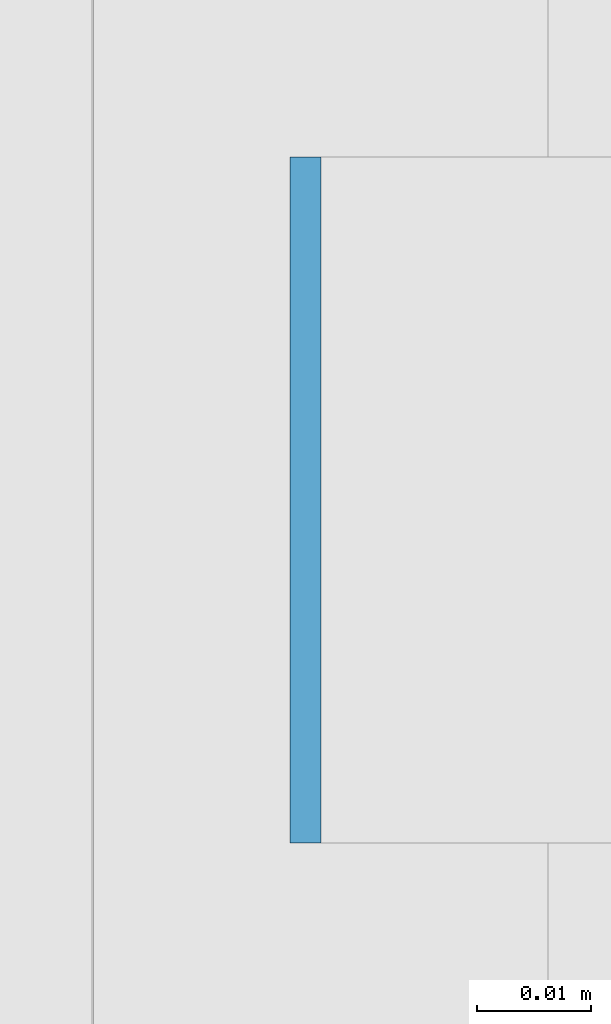
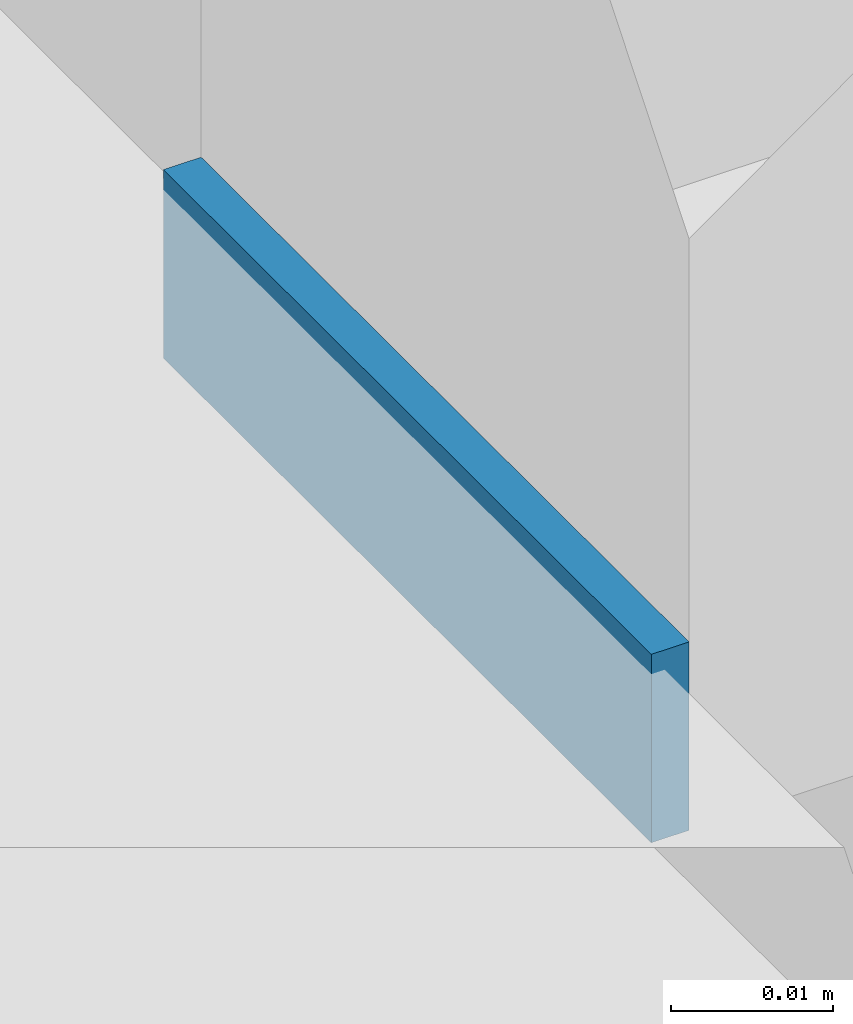
# One storey, part 534 of 646: 1 discrete accessory.
"""IFC4 building model written with IfcOpenShell, lengths in metres."""

from ifc_helpers import new_model, si_unit, direction, frame, origin, origin_2d, place, context, subcontext, project, spatial, rectangle, extrude, material, type_object, element, save


model = new_model("IFC4")

# Units and contexts
model_context = context("Model", 3, precision=1e-05, world=origin(), true_north=direction((0.0, 1.0)))
body_context = subcontext(model_context, "Body", "Model", "MODEL_VIEW")
ifc_project = project(units=[si_unit("LENGTHUNIT", "METRE"), si_unit("AREAUNIT", "SQUARE_METRE"), si_unit("VOLUMEUNIT", "CUBIC_METRE"), si_unit("PLANEANGLEUNIT", "RADIAN"), si_unit("MASSUNIT", "GRAM", prefix="KILO")], contexts=[model_context])

# Site, building, storey
site_placement = place(None, origin())
site = spatial("IfcSite", under=ifc_project, at=site_placement, CompositionType="ELEMENT")
building_placement = place(site_placement, origin())
building = spatial("IfcBuilding", under=site, at=building_placement, Name="Silverbay Arena", CompositionType="ELEMENT")
storey_placement = place(building_placement, frame((0.0, 0.0, 33.5)))
storey = spatial("IfcBuildingStorey", under=building, at=storey_placement, Name="L05", CompositionType="ELEMENT", Elevation=33.5)

# Discrete accessory
ifc_material = material(Name="Steel S355", Category="steel")
discrete_accessory_type = type_object("IfcDiscreteAccessoryType", Name="Steel bracket plate", PredefinedType="BRACKET", material=ifc_material)
discrete_accessory_placement = place(storey_placement, frame((207.128662109375, 86.142822265625, 4.0), z_axis=(0.0, 0.0, 1.0), x_axis=(1.0, 0.0, 0.0)))
element("IfcDiscreteAccessory", 1, at=discrete_accessory_placement, inside=storey, type_object=discrete_accessory_type, Name="Curtain wall packing plate", PredefinedType="BRACKET", context=body_context, shape_type="SweptSolid", body=[
    extrude(rectangle(XDim=0.002685546875, YDim=0.06005859375, at=origin_2d()), origin(), (0.0, 0.0, 1.0), 0.01416015625),
])

save(model, "model.ifc")
